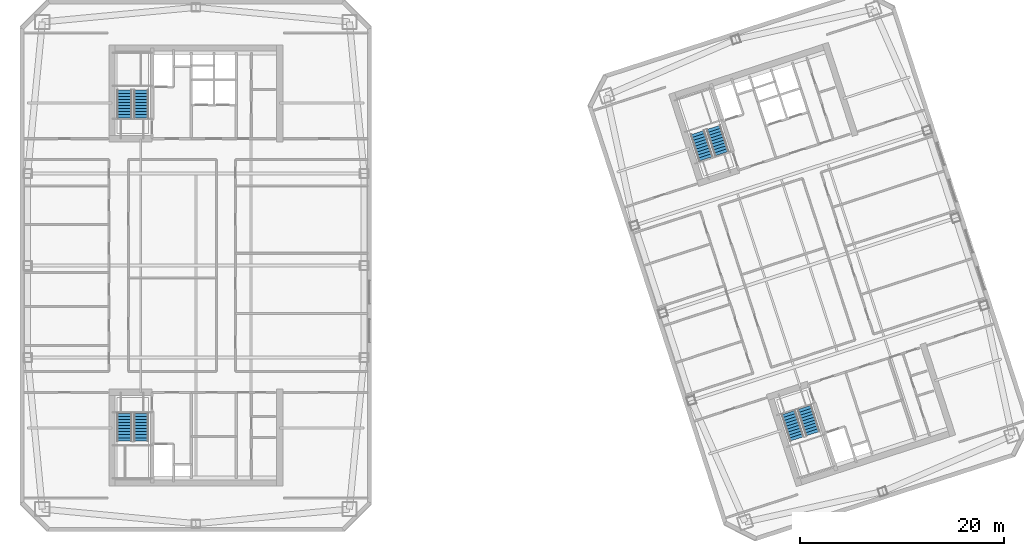
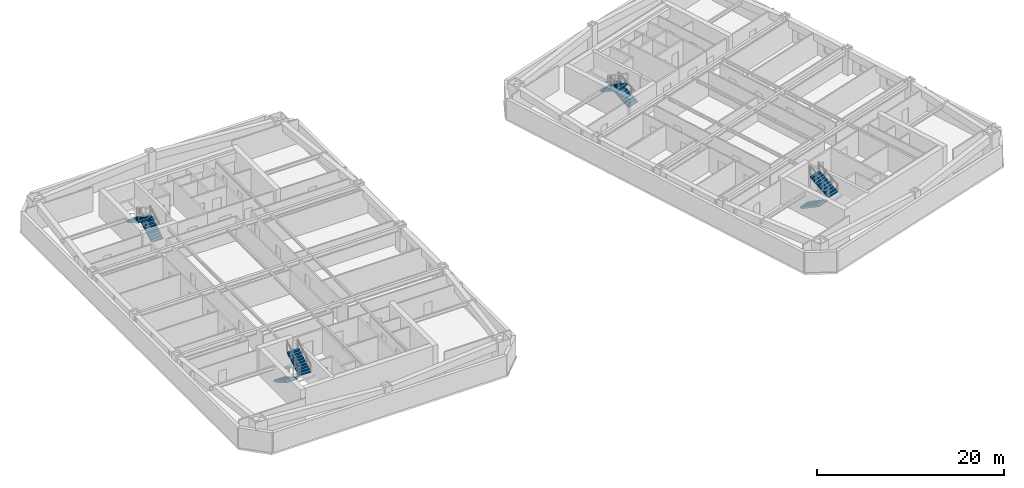
# One storey, part 11 of 13: 8 stair flights, 4 elements without a shape of their own.
"""IFC4 building model written with IfcOpenShell, lengths in metres."""

from ifc_helpers import new_model, si_unit, direction, frame, origin, place, context, subcontext, project, spatial, polyline, outline, extrude, material, type_object, element, aggregate, save


model = new_model("IFC4")

# Units and contexts
model_context = context("Model", 3, precision=1e-05, world=origin(), true_north=direction((0.0, 1.0)))
body_context = subcontext(model_context, "Body", "Model", "MODEL_VIEW")
ifc_project = project(units=[si_unit("LENGTHUNIT", "METRE"), si_unit("AREAUNIT", "SQUARE_METRE"), si_unit("VOLUMEUNIT", "CUBIC_METRE"), si_unit("PLANEANGLEUNIT", "RADIAN"), si_unit("MASSUNIT", "GRAM", prefix="KILO")], contexts=[model_context])

# Site, building, storey
site_placement = place(None, origin())
site = spatial("IfcSite", under=ifc_project, at=site_placement, CompositionType="ELEMENT")
building_placement = place(site_placement, origin())
building = spatial("IfcBuilding", under=site, at=building_placement, Name="Qiaolan Cultural Towers", CompositionType="ELEMENT")
storey_placement = place(building_placement, frame((0.0, 0.0, 170.199951171875)))
storey = spatial("IfcBuildingStorey", under=building, at=storey_placement, Name="L45", CompositionType="ELEMENT", Elevation=170.199951171875)

# Stair, stair flights
ifc_material_1 = material(Name="Concrete C45", Category="concrete")
stair_type = type_object("IfcStairType", Name="STR-CORE-1500", PredefinedType="HALF_TURN_STAIR", material=ifc_material_1)
stair_1_placement = place(storey_placement, origin())
stair_1 = element("IfcStair", 1, at=stair_1_placement, inside=storey, type_object=stair_type, Name="L45 Smokeproof Exit Stair ST-W1", PredefinedType="HALF_TURN_STAIR")
ifc_material_2 = material(Name="Concrete C45", Category="concrete")
stair_flight_type = type_object("IfcStairFlightType", Name="STR-CORE-1500-FL", PredefinedType="STRAIGHT", material=ifc_material_2)
stair_flight_1_placement = place(storey_placement, frame((23.02001953125, 19.550048828125, 0.0), z_axis=(0.0, 0.0, 1.0), x_axis=(0.0, -1.0, 0.0)))
stair_flight_1 = element("IfcStairFlight", 2, at=stair_flight_1_placement, type_object=stair_flight_type, Name="ST-W1 flight 1", NumberOfRisers=10, NumberOfTreads=9, PredefinedType="STRAIGHT", RiserHeight=0.1725, TreadLength=0.3, context=body_context, shape_type="SweptSolid", body=[
    extrude(outline(polyline([(0.0, 0.0), (0.0, 0.172607421875), (0.300048828125, 0.172607421875), (0.300048828125, 0.344970703125), (0.60009765625, 0.344970703125), (0.60009765625, 0.517578125), (0.89990234375, 0.517578125), (0.89990234375, 0.68994140625), (1.199951171875, 0.68994140625), (1.199951171875, 0.862548828125), (1.5, 0.862548828125), (1.5, 1.034912109375), (1.800048828125, 1.034912109375), (1.800048828125, 1.20751953125), (2.10009765625, 1.20751953125), (2.10009765625, 1.3798828125), (2.39990234375, 1.3798828125), (2.39990234375, 1.552490234375), (2.699951171875, 1.552490234375), (2.699951171875, 1.72509765625), (2.699951171875, 1.379638671875), (0.30078125, 0.0), (0.0, 0.0)])), frame((0.0, 0.719970703125, 0.0), z_axis=(0.0, -1.0, 0.0), x_axis=(1.0, 0.0, 0.0)), (0.0, 0.0, 1.0), 1.43994140625),
])
stair_flight_2_placement = place(storey_placement, frame((24.659912109375, 16.85009765625, 1.72509765625), z_axis=(0.0, 0.0, 1.0), x_axis=(0.0, 1.0, 0.0)))
stair_flight_2 = element("IfcStairFlight", 3, at=stair_flight_2_placement, type_object=stair_flight_type, Name="ST-W1 flight 2", NumberOfRisers=10, NumberOfTreads=9, PredefinedType="STRAIGHT", RiserHeight=0.1725, TreadLength=0.3, context=body_context, shape_type="SweptSolid", body=[
    extrude(outline(polyline([(0.0, 0.0), (0.0, 0.172607421875), (0.300048828125, 0.172607421875), (0.300048828125, 0.344970703125), (0.60009765625, 0.344970703125), (0.60009765625, 0.517578125), (0.89990234375, 0.517578125), (0.89990234375, 0.68994140625), (1.199951171875, 0.68994140625), (1.199951171875, 0.862548828125), (1.5, 0.862548828125), (1.5, 1.034912109375), (1.800048828125, 1.034912109375), (1.800048828125, 1.20751953125), (2.10009765625, 1.20751953125), (2.10009765625, 1.3798828125), (2.39990234375, 1.3798828125), (2.39990234375, 1.552490234375), (2.699951171875, 1.552490234375), (2.699951171875, 1.72509765625), (2.699951171875, 1.379638671875), (0.30078125, 0.0), (0.0, 0.0)])), frame((0.0, 0.719970703125, 0.0), z_axis=(0.0, -1.0, 0.0), x_axis=(1.0, 0.0, 0.0)), (0.0, 0.0, 1.0), 1.43994140625),
])
aggregate(stair_1, [stair_flight_1, stair_flight_2])

stair_2_placement = place(storey_placement, origin())
stair_2 = element("IfcStair", 4, at=stair_2_placement, inside=storey, type_object=stair_type, Name="L45 Smokeproof Exit Stair ST-W2", PredefinedType="HALF_TURN_STAIR")
stair_flight_3_placement = place(storey_placement, frame((24.659912109375, 48.449951171875, 0.0), z_axis=(0.0, 0.0, 1.0), x_axis=(0.0, 1.0, 0.0)))
stair_flight_3 = element("IfcStairFlight", 5, at=stair_flight_3_placement, type_object=stair_flight_type, Name="ST-W2 flight 1", NumberOfRisers=10, NumberOfTreads=9, PredefinedType="STRAIGHT", RiserHeight=0.1725, TreadLength=0.3, context=body_context, shape_type="SweptSolid", body=[
    extrude(outline(polyline([(0.0, 0.0), (0.0, 0.172607421875), (0.300048828125, 0.172607421875), (0.300048828125, 0.344970703125), (0.60009765625, 0.344970703125), (0.60009765625, 0.517578125), (0.89990234375, 0.517578125), (0.89990234375, 0.68994140625), (1.199951171875, 0.68994140625), (1.199951171875, 0.862548828125), (1.5, 0.862548828125), (1.5, 1.034912109375), (1.800048828125, 1.034912109375), (1.800048828125, 1.20751953125), (2.10009765625, 1.20751953125), (2.10009765625, 1.3798828125), (2.39990234375, 1.3798828125), (2.39990234375, 1.552490234375), (2.699951171875, 1.552490234375), (2.699951171875, 1.72509765625), (2.699951171875, 1.379638671875), (0.30078125, 0.0), (0.0, 0.0)])), frame((0.0, 0.719970703125, 0.0), z_axis=(0.0, -1.0, 0.0), x_axis=(1.0, 0.0, 0.0)), (0.0, 0.0, 1.0), 1.43994140625),
])
stair_flight_4_placement = place(storey_placement, frame((23.02001953125, 51.14990234375, 1.72509765625), z_axis=(0.0, 0.0, 1.0), x_axis=(0.0, -1.0, 0.0)))
stair_flight_4 = element("IfcStairFlight", 6, at=stair_flight_4_placement, type_object=stair_flight_type, Name="ST-W2 flight 2", NumberOfRisers=10, NumberOfTreads=9, PredefinedType="STRAIGHT", RiserHeight=0.1725, TreadLength=0.3, context=body_context, shape_type="SweptSolid", body=[
    extrude(outline(polyline([(0.0, 0.0), (0.0, 0.172607421875), (0.300048828125, 0.172607421875), (0.300048828125, 0.344970703125), (0.60009765625, 0.344970703125), (0.60009765625, 0.517578125), (0.89990234375, 0.517578125), (0.89990234375, 0.68994140625), (1.199951171875, 0.68994140625), (1.199951171875, 0.862548828125), (1.5, 0.862548828125), (1.5, 1.034912109375), (1.800048828125, 1.034912109375), (1.800048828125, 1.20751953125), (2.10009765625, 1.20751953125), (2.10009765625, 1.3798828125), (2.39990234375, 1.3798828125), (2.39990234375, 1.552490234375), (2.699951171875, 1.552490234375), (2.699951171875, 1.72509765625), (2.699951171875, 1.379638671875), (0.30078125, 0.0), (0.0, 0.0)])), frame((0.0, 0.719970703125, 0.0), z_axis=(0.0, -1.0, 0.0), x_axis=(1.0, 0.0, 0.0)), (0.0, 0.0, 1.0), 1.43994140625),
])
aggregate(stair_2, [stair_flight_3, stair_flight_4])

stair_3_placement = place(storey_placement, origin())
stair_3 = element("IfcStair", 7, at=stair_3_placement, inside=storey, type_object=stair_type, Name="L45 Smokeproof Exit Stair ST-E1", PredefinedType="HALF_TURN_STAIR")
stair_flight_5_placement = place(storey_placement, frame((87.96484375, 19.6171875, 0.0), z_axis=(0.0, 0.0, 1.0), x_axis=(0.309016994375, -0.951056516295, 0.0)))
stair_flight_5 = element("IfcStairFlight", 8, at=stair_flight_5_placement, type_object=stair_flight_type, Name="ST-E1 flight 1", NumberOfRisers=10, NumberOfTreads=9, PredefinedType="STRAIGHT", RiserHeight=0.1725, TreadLength=0.3, context=body_context, shape_type="SweptSolid", body=[
    extrude(outline(polyline([(0.0, 0.0), (0.0, 0.172607421875), (0.300048828125, 0.172607421875), (0.300048828125, 0.344970703125), (0.60009765625, 0.344970703125), (0.60009765625, 0.517578125), (0.89990234375, 0.517578125), (0.89990234375, 0.68994140625), (1.199951171875, 0.68994140625), (1.199951171875, 0.862548828125), (1.5, 0.862548828125), (1.5, 1.034912109375), (1.800048828125, 1.034912109375), (1.800048828125, 1.20751953125), (2.10009765625, 1.20751953125), (2.10009765625, 1.3798828125), (2.39990234375, 1.3798828125), (2.39990234375, 1.552490234375), (2.699951171875, 1.552490234375), (2.699951171875, 1.72509765625), (2.699951171875, 1.379638671875), (0.30078125, 0.0), (0.0, 0.0)])), frame((0.0, 0.719970703125, 0.0), z_axis=(0.0, -1.0, 0.0), x_axis=(1.0, 0.0, 0.0)), (0.0, 0.0, 1.0), 1.43994140625),
])
stair_flight_6_placement = place(storey_placement, frame((90.359130859375, 17.55615234375, 1.72509765625), z_axis=(0.0, 0.0, 1.0), x_axis=(-0.309016994375, 0.951056516295, 0.0)))
stair_flight_6 = element("IfcStairFlight", 9, at=stair_flight_6_placement, type_object=stair_flight_type, Name="ST-E1 flight 2", NumberOfRisers=10, NumberOfTreads=9, PredefinedType="STRAIGHT", RiserHeight=0.1725, TreadLength=0.3, context=body_context, shape_type="SweptSolid", body=[
    extrude(outline(polyline([(0.0, 0.0), (0.0, 0.172607421875), (0.300048828125, 0.172607421875), (0.300048828125, 0.344970703125), (0.60009765625, 0.344970703125), (0.60009765625, 0.517578125), (0.89990234375, 0.517578125), (0.89990234375, 0.68994140625), (1.199951171875, 0.68994140625), (1.199951171875, 0.862548828125), (1.5, 0.862548828125), (1.5, 1.034912109375), (1.800048828125, 1.034912109375), (1.800048828125, 1.20751953125), (2.10009765625, 1.20751953125), (2.10009765625, 1.3798828125), (2.39990234375, 1.3798828125), (2.39990234375, 1.552490234375), (2.699951171875, 1.552490234375), (2.699951171875, 1.72509765625), (2.699951171875, 1.379638671875), (0.30078125, 0.0), (0.0, 0.0)])), frame((0.0, 0.719970703125, 0.0), z_axis=(0.0, -1.0, 0.0), x_axis=(1.0, 0.0, 0.0)), (0.0, 0.0, 1.0), 1.43994140625),
])
aggregate(stair_3, [stair_flight_5, stair_flight_6])

stair_4_placement = place(storey_placement, origin())
stair_4 = element("IfcStair", 10, at=stair_4_placement, inside=storey, type_object=stair_type, Name="L45 Smokeproof Exit Stair ST-E2", PredefinedType="HALF_TURN_STAIR")
stair_flight_7_placement = place(storey_placement, frame((81.459228515625, 44.946533203125, 0.0), z_axis=(0.0, 0.0, 1.0), x_axis=(-0.309016994375, 0.951056516295, 0.0)))
stair_flight_7 = element("IfcStairFlight", 11, at=stair_flight_7_placement, type_object=stair_flight_type, Name="ST-E2 flight 1", NumberOfRisers=10, NumberOfTreads=9, PredefinedType="STRAIGHT", RiserHeight=0.1725, TreadLength=0.3, context=body_context, shape_type="SweptSolid", body=[
    extrude(outline(polyline([(0.0, 0.0), (0.0, 0.172607421875), (0.300048828125, 0.172607421875), (0.300048828125, 0.344970703125), (0.60009765625, 0.344970703125), (0.60009765625, 0.517578125), (0.89990234375, 0.517578125), (0.89990234375, 0.68994140625), (1.199951171875, 0.68994140625), (1.199951171875, 0.862548828125), (1.5, 0.862548828125), (1.5, 1.034912109375), (1.800048828125, 1.034912109375), (1.800048828125, 1.20751953125), (2.10009765625, 1.20751953125), (2.10009765625, 1.3798828125), (2.39990234375, 1.3798828125), (2.39990234375, 1.552490234375), (2.699951171875, 1.552490234375), (2.699951171875, 1.72509765625), (2.699951171875, 1.379638671875), (0.30078125, 0.0), (0.0, 0.0)])), frame((0.0, 0.719970703125, 0.0), z_axis=(0.0, -1.0, 0.0), x_axis=(1.0, 0.0, 0.0)), (0.0, 0.0, 1.0), 1.43994140625),
])
stair_flight_8_placement = place(storey_placement, frame((79.065185546875, 47.007568359375, 1.72509765625), z_axis=(0.0, 0.0, 1.0), x_axis=(0.309016994375, -0.951056516295, 0.0)))
stair_flight_8 = element("IfcStairFlight", 12, at=stair_flight_8_placement, type_object=stair_flight_type, Name="ST-E2 flight 2", NumberOfRisers=10, NumberOfTreads=9, PredefinedType="STRAIGHT", RiserHeight=0.1725, TreadLength=0.3, context=body_context, shape_type="SweptSolid", body=[
    extrude(outline(polyline([(0.0, 0.0), (0.0, 0.172607421875), (0.300048828125, 0.172607421875), (0.300048828125, 0.344970703125), (0.60009765625, 0.344970703125), (0.60009765625, 0.517578125), (0.89990234375, 0.517578125), (0.89990234375, 0.68994140625), (1.199951171875, 0.68994140625), (1.199951171875, 0.862548828125), (1.5, 0.862548828125), (1.5, 1.034912109375), (1.800048828125, 1.034912109375), (1.800048828125, 1.20751953125), (2.10009765625, 1.20751953125), (2.10009765625, 1.3798828125), (2.39990234375, 1.3798828125), (2.39990234375, 1.552490234375), (2.699951171875, 1.552490234375), (2.699951171875, 1.72509765625), (2.699951171875, 1.379638671875), (0.30078125, 0.0), (0.0, 0.0)])), frame((0.0, 0.719970703125, 0.0), z_axis=(0.0, -1.0, 0.0), x_axis=(1.0, 0.0, 0.0)), (0.0, 0.0, 1.0), 1.43994140625),
])
aggregate(stair_4, [stair_flight_7, stair_flight_8])

save(model, "model.ifc")
